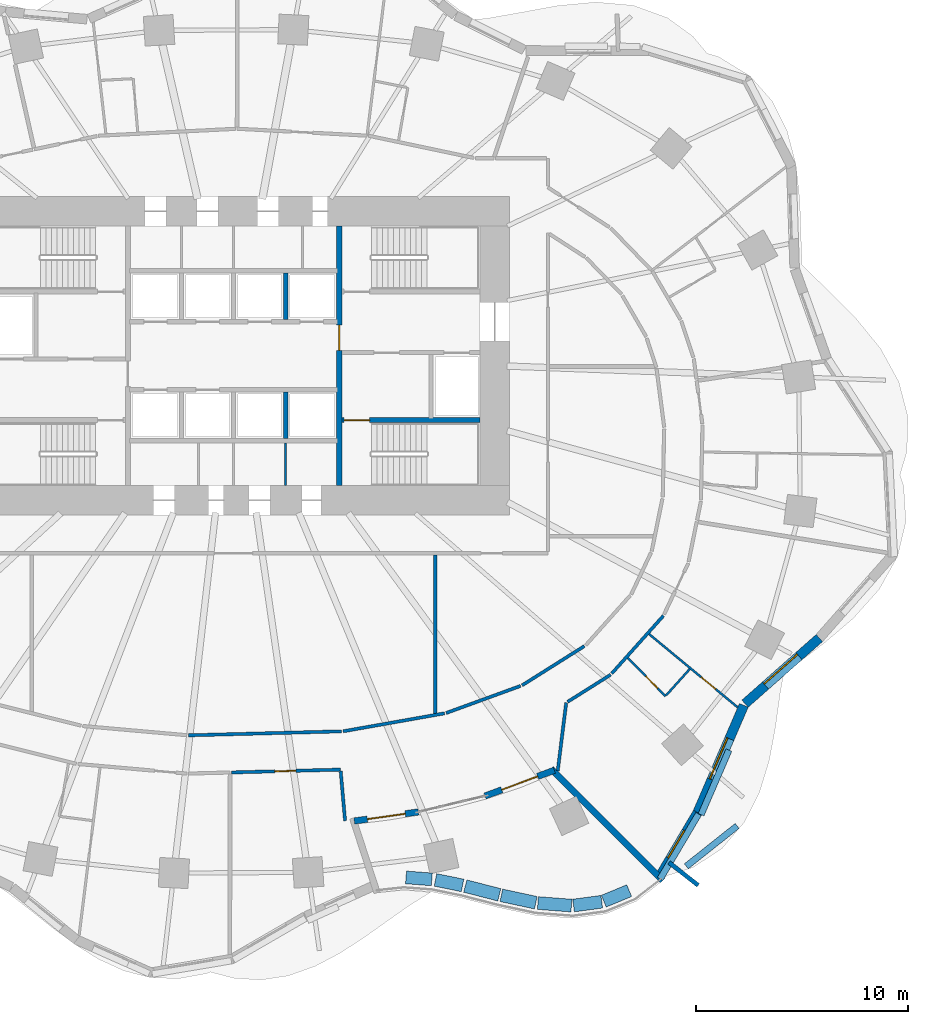
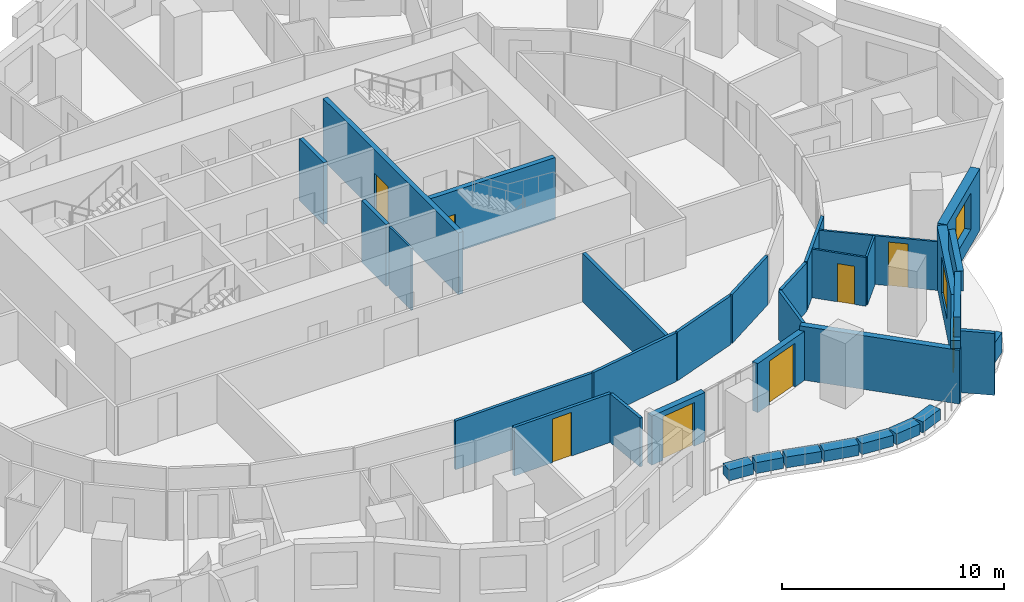
# One storey, part 7 of 14: 35 walls, 7 doors, 3 windows, 10 openings.
"""IFC4 building model written with IfcOpenShell, lengths in metres."""

from ifc_helpers import new_model, si_unit, direction, frame, frame_2d, origin, place, context, subcontext, project, spatial, rectangle, extrude, material, layer, layer_set, type_object, element, fill, save


model = new_model("IFC4")

# Units and contexts
model_context = context("Model", 3, precision=1e-05, world=origin(), true_north=direction((0.0, 1.0)))
body_context = subcontext(model_context, "Body", "Model", "MODEL_VIEW")
ifc_project = project(units=[si_unit("LENGTHUNIT", "METRE"), si_unit("AREAUNIT", "SQUARE_METRE"), si_unit("VOLUMEUNIT", "CUBIC_METRE"), si_unit("PLANEANGLEUNIT", "RADIAN"), si_unit("MASSUNIT", "GRAM", prefix="KILO")], contexts=[model_context])

# Site, building, storey
site_placement = place(None, origin())
site = spatial("IfcSite", under=ifc_project, at=site_placement, CompositionType="ELEMENT")
building_placement = place(site_placement, origin())
building = spatial("IfcBuilding", under=site, at=building_placement, Name="Rubra Terraces Tower", CompositionType="ELEMENT")
storey_placement = place(building_placement, frame((0.0, 0.0, 44.699951171875)))
storey = spatial("IfcBuildingStorey", under=building, at=storey_placement, Name="L08", CompositionType="ELEMENT", Elevation=44.699951171875)

# Walls
ifc_material_1 = material(Name="Twin plasterboard on staggered steel stud, acoustic mineral wool", Category="steel")
ifc_layer_1 = layer(ifc_material_1, 0.175048828125)
ifc_layer_set_1 = layer_set([ifc_layer_1], Name="Twin plasterboard on staggered steel stud, acoustic mineral wool")
wall_type_1 = type_object("IfcWallType", Name="ACOUSTIC PARTY WALL 175", PredefinedType="PARTITIONING", material=ifc_layer_set_1)
wall_1_placement = place(storey_placement, frame((9.5, -12.335205078125, 0.0), z_axis=(0.0, 0.0, 1.0), x_axis=(0.0, 1.0, 0.0)))
element("IfcWall", 1, at=wall_1_placement, inside=storey, type_object=wall_type_1, Name="PARTITION", PredefinedType="PARTITIONING", context=body_context, shape_type="SweptSolid", body=[
    extrude(rectangle(XDim=7.460205078125, YDim=0.175048828125, at=frame_2d((3.72998046875, 0.0))), origin(), (0.0, 0.0, 1.0), 2.679931640625),
])
ifc_material_2 = material(Name="Brick masonry red-brown", Category="masonry")
ifc_layer_2 = layer(ifc_material_2, 0.300048828125)
ifc_layer_set_2 = layer_set([ifc_layer_2], Name="Brick masonry red-brown")
wall_type_2 = type_object("IfcWallType", Name="Brick edge guard 300", PredefinedType="PARAPET", material=ifc_layer_set_2)
wall_2_placement = place(storey_placement, frame((23.70947265625, -17.63671875, 0.0), z_axis=(0.0, 0.0, 1.0), x_axis=(-0.783162328439, -0.62181731024, 0.0)))
element("IfcWall", 2, at=wall_2_placement, inside=storey, type_object=wall_type_2, Name="Edge guard L08.1", PredefinedType="PARAPET", context=body_context, shape_type="SweptSolid", body=[
    extrude(rectangle(XDim=3.056640625, YDim=0.300048828125, at=frame_2d((1.5283203125, 0.0))), origin(), (0.0, 0.0, 1.0), 1.10009765625),
])

# Wall, opening, window
ifc_layer_3 = layer(ifc_material_2, 0.449951171875)
ifc_layer_set_3 = layer_set([ifc_layer_3], Name="Brick masonry red-brown")
wall_type_3 = type_object("IfcWallType", Name="Brick facade wall 450", PredefinedType="SOLIDWALL", material=ifc_layer_set_3)
wall_3_placement = place(storey_placement, frame((20.017333984375, -20.09619140625, 0.0), z_axis=(0.0, 0.0, 1.0), x_axis=(0.509718522454, 0.860341227576, 0.0)))
wall_3 = element("IfcWall", 3, at=wall_3_placement, inside=storey, type_object=wall_type_3, Name="Facade wall L08 bay 36", PredefinedType="SOLIDWALL", context=body_context, shape_type="SweptSolid", body=[
    extrude(rectangle(XDim=3.5908203125, YDim=0.449951171875, at=frame_2d((1.79541015625, 0.0))), origin(), (0.0, 0.0, 1.0), 3.400146484375),
])
opening_1_placement = place(wall_3_placement, frame((1.04541015625, 0.0, 0.89990234375)))
opening_1 = element("IfcOpeningElement", 4, at=opening_1_placement, cuts=wall_3, Name="Opening W7", PredefinedType="OPENING", context=body_context, shape_type="SweptSolid", body=[
    extrude(rectangle(XDim=1.5, YDim=2.0, at=frame_2d((0.75, 1.0))), frame((0.0, 0.23486328125, 0.0), z_axis=(0.0, -1.0, 0.0), x_axis=(1.0, 0.0, 0.0)), (0.0, 0.0, 1.0), 0.469970703125),
])
ifc_material_3 = material(Name="Clear glass in aluminium frame", Category="aluminium")
window_type_1 = type_object("IfcWindowType", Name="Fixed deep-set window beside terrace 1500 x 2000", PartitioningType="SINGLE_PANEL", PredefinedType="WINDOW", material=ifc_material_3)
window_1_placement = place(opening_1_placement, origin())
window_1 = element("IfcWindow", 5, at=window_1_placement, inside=storey, type_object=window_type_1, Name="Window L08 bay 36", OverallHeight=2.0, OverallWidth=1.5, PartitioningType="SINGLE_PANEL", PredefinedType="WINDOW", context=body_context, shape_type="SweptSolid", body=[
    extrude(rectangle(XDim=1.5, YDim=2.0, at=frame_2d((0.75, 1.0))), frame((0.0, 0.135009765625, 0.0), z_axis=(0.0, -1.0, 0.0), x_axis=(1.0, 0.0, 0.0)), (0.0, 0.0, 1.0), 0.06005859375),
])
fill(opening_1, window_1)

wall_4_placement = place(storey_placement, frame((21.834716796875, -17.032470703125, 0.0), z_axis=(0.0, 0.0, 1.0), x_axis=(0.396103523022, 0.918205858753, 0.0)))
wall_4 = element("IfcWall", 6, at=wall_4_placement, inside=storey, type_object=wall_type_3, Name="Facade wall L08 bay 37", PredefinedType="SOLIDWALL", context=body_context, shape_type="SweptSolid", body=[
    extrude(rectangle(XDim=5.528076171875, YDim=0.449951171875, at=frame_2d((2.76416015625, 0.0))), origin(), (0.0, 0.0, 1.0), 3.400146484375),
])
opening_2_placement = place(wall_4_placement, frame((1.714111328125, 0.0, 0.89990234375)))
opening_2 = element("IfcOpeningElement", 7, at=opening_2_placement, cuts=wall_4, Name="Opening W1", PredefinedType="OPENING", context=body_context, shape_type="SweptSolid", body=[
    extrude(rectangle(XDim=2.10009765625, YDim=2.0, at=frame_2d((1.050048828125, 1.0))), frame((0.0, 0.23486328125, 0.0), z_axis=(0.0, -1.0, 0.0), x_axis=(1.0, 0.0, 0.0)), (0.0, 0.0, 1.0), 0.469970703125),
])
window_type_2 = type_object("IfcWindowType", Name="Fixed deep-set window 2100 x 2000", PartitioningType="SINGLE_PANEL", PredefinedType="WINDOW", material=ifc_material_3)
window_2_placement = place(opening_2_placement, origin())
window_2 = element("IfcWindow", 8, at=window_2_placement, inside=storey, type_object=window_type_2, Name="Window L08 bay 37", OverallHeight=2.0, OverallWidth=2.10009765625, PartitioningType="SINGLE_PANEL", PredefinedType="WINDOW", context=body_context, shape_type="SweptSolid", body=[
    extrude(rectangle(XDim=2.10009765625, YDim=2.0, at=frame_2d((1.050048828125, 1.0))), frame((0.0, 0.135009765625, 0.0), z_axis=(0.0, -1.0, 0.0), x_axis=(1.0, 0.0, 0.0)), (0.0, 0.0, 1.0), 0.06005859375),
])
fill(opening_2, window_2)

wall_5_placement = place(storey_placement, frame((24.078369140625, -11.88037109375, 0.0), z_axis=(0.0, 0.0, 1.0), x_axis=(0.749778352475, 0.661689067583, 0.0)))
wall_5 = element("IfcWall", 9, at=wall_5_placement, inside=storey, type_object=wall_type_3, Name="Facade wall L08 bay 38", PredefinedType="SOLIDWALL", context=body_context, shape_type="SweptSolid", body=[
    extrude(rectangle(XDim=4.669921875, YDim=0.449951171875, at=frame_2d((2.3349609375, 0.0))), origin(), (0.0, 0.0, 1.0), 3.400146484375),
])
opening_3_placement = place(wall_5_placement, frame((1.284912109375, 0.0, 0.89990234375)))
opening_3 = element("IfcOpeningElement", 10, at=opening_3_placement, cuts=wall_5, Name="Opening W1", PredefinedType="OPENING", context=body_context, shape_type="SweptSolid", body=[
    extrude(rectangle(XDim=2.10009765625, YDim=2.0, at=frame_2d((1.050048828125, 1.0))), frame((0.0, 0.23486328125, 0.0), z_axis=(0.0, -1.0, 0.0), x_axis=(1.0, 0.0, 0.0)), (0.0, 0.0, 1.0), 0.469970703125),
])
window_3_placement = place(opening_3_placement, origin())
window_3 = element("IfcWindow", 11, at=window_3_placement, inside=storey, type_object=window_type_2, Name="Window L08 bay 38", OverallHeight=2.0, OverallWidth=2.10009765625, PartitioningType="SINGLE_PANEL", PredefinedType="WINDOW", context=body_context, shape_type="SweptSolid", body=[
    extrude(rectangle(XDim=2.10009765625, YDim=2.0, at=frame_2d((1.050048828125, 1.0))), frame((0.0, 0.135009765625, 0.0), z_axis=(0.0, -1.0, 0.0), x_axis=(1.0, 0.0, 0.0)), (0.0, 0.0, 1.0), 0.06005859375),
])
fill(opening_3, window_3)

# Walls
ifc_layer_4 = layer(ifc_material_2, 0.300048828125)
ifc_layer_set_4 = layer_set([ifc_layer_4], Name="Brick masonry red-brown")
wall_type_4 = type_object("IfcWallType", Name="Brick parapet 300", PredefinedType="PARAPET", material=ifc_layer_set_4)
wall_6_placement = place(storey_placement, frame((20.081787109375, -20.134521484375, 3.60009765625), z_axis=(0.0, 0.0, 1.0), x_axis=(0.50970265733, 0.860350626844, 0.0)))
element("IfcWall", 12, at=wall_6_placement, inside=storey, type_object=wall_type_4, Name="Parapet L08 bay 36", PredefinedType="PARAPET", context=body_context, shape_type="SweptSolid", body=[
    extrude(rectangle(XDim=3.556396484375, YDim=0.300048828125, at=frame_2d((1.7783203125, 0.0))), origin(), (0.0, 0.0, 1.0), 1.099853515625),
])
wall_7_placement = place(storey_placement, frame((22.008544921875, -17.107421875, 3.60009765625), z_axis=(0.0, 0.0, 1.0), x_axis=(0.396142292889, 0.918189132905, 0.0)))
element("IfcWall", 13, at=wall_7_placement, inside=storey, type_object=wall_type_4, Name="Parapet L08 bay 37", PredefinedType="PARAPET", context=body_context, shape_type="SweptSolid", body=[
    extrude(rectangle(XDim=3.31201171875, YDim=0.300048828125, at=frame_2d((1.656005859375, 0.0))), origin(), (0.0, 0.0, 1.0), 1.099853515625),
])
ifc_layer_5 = layer(ifc_material_2, 0.199951171875)
ifc_layer_set_5 = layer_set([ifc_layer_5], Name="Brick masonry red-brown")
wall_type_5 = type_object("IfcWallType", Name="Brick wind fin 200", PredefinedType="SOLIDWALL", material=ifc_layer_set_5)
wall_8_placement = place(storey_placement, frame((20.5, -19.35498046875, 0.0), z_axis=(0.0, 0.0, 1.0), x_axis=(0.786700632228, -0.617334686577, 0.0)))
element("IfcWall", 14, at=wall_8_placement, inside=storey, type_object=wall_type_5, Name="Wind fin L08 19", PredefinedType="SOLIDWALL", context=body_context, shape_type="SweptSolid", body=[
    extrude(rectangle(XDim=1.75, YDim=0.199951171875, at=frame_2d((0.875, 0.0))), origin(), (0.0, 0.0, 1.0), 3.400146484375),
])

# Wall, opening, door
ifc_material_4 = material(Name="Plasterboard on steel stud, mineral wool infill", Category="steel")
ifc_layer_6 = layer(ifc_material_4, 0.14990234375)
ifc_layer_set_6 = layer_set([ifc_layer_6], Name="Plasterboard on steel stud, mineral wool infill")
wall_type_6 = type_object("IfcWallType", Name="CORRIDOR PARTITION 150", PredefinedType="PARTITIONING", material=ifc_layer_set_6)
wall_9_placement = place(storey_placement, frame((-0.089111328125, -15.117431640625, 0.0), z_axis=(0.0, 0.0, 1.0), x_axis=(0.999661881663, 0.026002352789, 0.0)))
wall_9 = element("IfcWall", 15, at=wall_9_placement, inside=storey, type_object=wall_type_6, Name="PARTITION", PredefinedType="PARTITIONING", context=body_context, shape_type="SweptSolid", body=[
    extrude(rectangle(XDim=5.12646484375, YDim=0.14990234375, at=frame_2d((2.563232421875, 0.0))), origin(), (0.0, 0.0, 1.0), 2.679931640625),
])
opening_4_placement = place(wall_9_placement, frame((2.02587890625, 0.0, 0.0)))
opening_4 = element("IfcOpeningElement", 16, at=opening_4_placement, cuts=wall_9, Name="Opening 08-124", PredefinedType="OPENING", context=body_context, shape_type="SweptSolid", body=[
    extrude(rectangle(XDim=1.0, YDim=2.39990234375, at=frame_2d((0.5, 1.199951171875))), frame((0.0, 0.0849609375, 0.0), z_axis=(0.0, -1.0, 0.0), x_axis=(1.0, 0.0, 0.0)), (0.0, 0.0, 1.0), 0.169921875),
])
ifc_material_5 = material(Name="Glazed aluminium meeting door leaf", Category="aluminium")
door_type_1 = type_object("IfcDoorType", Name="MEETING ROOM GLAZED DOOR 1000 X 2400", OperationType="SINGLE_SWING_LEFT", PredefinedType="DOOR", material=ifc_material_5)
door_1_placement = place(opening_4_placement, origin())
door_1 = element("IfcDoor", 17, at=door_1_placement, inside=storey, type_object=door_type_1, Name="DOOR 08-124", OperationType="SINGLE_SWING_RIGHT", OverallHeight=2.39990234375, OverallWidth=1.0, PredefinedType="DOOR", context=body_context, shape_type="SweptSolid", body=[
    extrude(rectangle(XDim=1.0, YDim=2.39990234375, at=frame_2d((0.5, 1.199951171875))), frame((0.0, 0.02490234375, 0.0), z_axis=(0.0, -1.0, 0.0), x_axis=(1.0, 0.0, 0.0)), (0.0, 0.0, 1.0), 0.050048828125),
])
fill(opening_4, door_1)

# Walls
wall_10_placement = place(storey_placement, frame((5.24853515625, -17.393310546875, 0.0), z_axis=(0.0, 0.0, 1.0), x_axis=(-0.088027582278, 0.996118037563, 0.0)))
element("IfcWall", 18, at=wall_10_placement, inside=storey, type_object=wall_type_6, Name="PARTITION", PredefinedType="PARTITIONING", context=body_context, shape_type="SweptSolid", body=[
    extrude(rectangle(XDim=2.343505859375, YDim=0.14990234375, at=frame_2d((1.171875, 0.0))), origin(), (0.0, 0.0, 1.0), 2.679931640625),
])
wall_11_placement = place(storey_placement, frame((15.261962890625, -15.03857421875, 0.0), z_axis=(0.0, 0.0, 1.0), x_axis=(0.123485606302, 0.992346363442, 0.0)))
element("IfcWall", 19, at=wall_11_placement, inside=storey, type_object=wall_type_6, Name="PARTITION", PredefinedType="PARTITIONING", context=body_context, shape_type="SweptSolid", body=[
    extrude(rectangle(XDim=3.228515625, YDim=0.14990234375, at=frame_2d((1.6142578125, 0.0))), origin(), (0.0, 0.0, 1.0), 2.679931640625),
])
wall_12_placement = place(storey_placement, frame((15.72412109375, -11.794677734375, 0.0), z_axis=(0.0, 0.0, 1.0), x_axis=(0.846020384979, 0.533150549283, 0.0)))
element("IfcWall", 20, at=wall_12_placement, inside=storey, type_object=wall_type_6, Name="PARTITION", PredefinedType="PARTITIONING", context=body_context, shape_type="SweptSolid", body=[
    extrude(rectangle(XDim=2.3994140625, YDim=0.14990234375, at=frame_2d((1.19970703125, 0.0))), origin(), (0.0, 0.0, 1.0), 2.679931640625),
])
wall_13_placement = place(storey_placement, frame((17.80419921875, -10.459716796875, 0.0), z_axis=(0.0, 0.0, 1.0), x_axis=(0.666597463623, 0.745417883802, 0.0)))
element("IfcWall", 21, at=wall_13_placement, inside=storey, type_object=wall_type_6, Name="PARTITION", PredefinedType="PARTITIONING", context=body_context, shape_type="SweptSolid", body=[
    extrude(rectangle(XDim=3.65185546875, YDim=0.14990234375, at=frame_2d((1.825927734375, 0.0))), origin(), (0.0, 0.0, 1.0), 2.679931640625),
])
wall_14_placement = place(storey_placement, frame((16.517333984375, -9.167236328125, 0.0), z_axis=(0.0, 0.0, 1.0), x_axis=(-0.846000117603, -0.533182708849, 0.0)))
element("IfcWall", 22, at=wall_14_placement, inside=storey, type_object=wall_type_6, Name="PARTITION", PredefinedType="PARTITIONING", context=body_context, shape_type="SweptSolid", body=[
    extrude(rectangle(XDim=3.469970703125, YDim=0.14990234375, at=frame_2d((1.73486328125, 0.0))), origin(), (0.0, 0.0, 1.0), 2.679931640625),
])
wall_15_placement = place(storey_placement, frame((13.51123046875, -11.04296875, 0.0), z_axis=(0.0, 0.0, 1.0), x_axis=(-0.939583191704, -0.342320647736, 0.0)))
element("IfcWall", 23, at=wall_15_placement, inside=storey, type_object=wall_type_6, Name="PARTITION", PredefinedType="PARTITIONING", context=body_context, shape_type="SweptSolid", body=[
    extrude(rectangle(XDim=3.73291015625, YDim=0.14990234375, at=frame_2d((1.866455078125, 0.0))), origin(), (0.0, 0.0, 1.0), 2.679931640625),
])
wall_16_placement = place(storey_placement, frame((9.93017578125, -12.333984375, 0.0), z_axis=(0.0, 0.0, 1.0), x_axis=(-0.984638212434, -0.174606960386, 0.0)))
element("IfcWall", 24, at=wall_16_placement, inside=storey, type_object=wall_type_6, Name="PARTITION", PredefinedType="PARTITIONING", context=body_context, shape_type="SweptSolid", body=[
    extrude(rectangle(XDim=4.84765625, YDim=0.14990234375, at=frame_2d((2.423828125, 0.0))), origin(), (0.0, 0.0, 1.0), 2.679931640625),
])
wall_17_placement = place(storey_placement, frame((5.08203125, -13.182373046875, 0.0), z_axis=(0.0, 0.0, 1.0), x_axis=(-0.999661624383, -0.026012242045, 0.0)))
element("IfcWall", 25, at=wall_17_placement, inside=storey, type_object=wall_type_6, Name="PARTITION", PredefinedType="PARTITIONING", context=body_context, shape_type="SweptSolid", body=[
    extrude(rectangle(XDim=7.217529296875, YDim=0.14990234375, at=frame_2d((3.60888671875, 0.0))), origin(), (0.0, 0.0, 1.0), 2.679931640625),
])
ifc_material_6 = material(Name="Concrete C30", Category="concrete")
ifc_layer_7 = layer(ifc_material_6, 0.199951171875)
ifc_layer_set_7 = layer_set([ifc_layer_7], Name="Concrete C30")
wall_type_7 = type_object("IfcWallType", Name="Core wall 200 concrete", PredefinedType="SOLIDWALL", material=ifc_layer_set_7)
for number, where, z_axis, x_axis, name in (
    (26, (2.449951171875, 0.60009765625, 0.0), (0.0, 0.0, 1.0), (0.0, 1.0, 0.0), "LIFT SHAFT WALL L08"),
    (27, (2.449951171875, 6.199951171875, 0.0), (0.0, 0.0, 1.0), (0.0, 1.0, 0.0), "LIFT SHAFT WALL L08"),
):
    element("IfcWall", number, at=place(storey_placement, frame(where, z_axis=z_axis, x_axis=x_axis)), inside=storey, type_object=wall_type_7, Name=name, PredefinedType="SOLIDWALL", context=body_context, shape_type="SweptSolid", body=[
        extrude(rectangle(XDim=2.199951171875, YDim=0.199951171875, at=frame_2d((1.10009765625, 0.0))), origin(), (0.0, 0.0, 1.0), 3.400146484375),
    ])

# Wall, opening, door
ifc_material_7 = material(Name="Brick masonry with ochre lime render", Category="masonry")
ifc_layer_8 = layer(ifc_material_7, 0.300048828125)
ifc_layer_set_8 = layer_set([ifc_layer_8], Name="Brick masonry with ochre lime render")
wall_type_8 = type_object("IfcWallType", Name="Ochre rendered brick wall 300", PredefinedType="SOLIDWALL", material=ifc_layer_set_8)
wall_18_placement = place(storey_placement, frame((5.681884765625, -17.404541015625, 0.0), z_axis=(0.0, 0.0, 1.0), x_axis=(0.990121520331, 0.140211893137, 0.0)))
wall_18 = element("IfcWall", 28, at=wall_18_placement, inside=storey, type_object=wall_type_8, Name="Terrace wall L08 bay 33", PredefinedType="SOLIDWALL", context=body_context, shape_type="SweptSolid", body=[
    extrude(rectangle(XDim=3.052490234375, YDim=0.300048828125, at=frame_2d((1.5263671875, 0.0))), origin(), (0.0, 0.0, 1.0), 2.699951171875),
])
opening_5_placement = place(wall_18_placement, frame((0.626220703125, 0.0, 0.0)))
opening_5 = element("IfcOpeningElement", 29, at=opening_5_placement, cuts=wall_18, Name="Opening T08.1", PredefinedType="OPENING", context=body_context, shape_type="SweptSolid", body=[
    extrude(rectangle(XDim=1.800048828125, YDim=2.39990234375, at=frame_2d((0.89990234375, 1.199951171875))), frame((0.0, 0.159912109375, 0.0), z_axis=(0.0, -1.0, 0.0), x_axis=(1.0, 0.0, 0.0)), (0.0, 0.0, 1.0), 0.320068359375),
])
ifc_material_8 = material(Name="Glazed aluminium door leaf", Category="aluminium")
door_type_2 = type_object("IfcDoorType", Name="Terrace double door 1800 x 2400", OperationType="DOUBLE_DOOR_DOUBLE_SWING", PredefinedType="DOOR", material=ifc_material_8)
door_2_placement = place(opening_5_placement, origin())
door_2 = element("IfcDoor", 30, at=door_2_placement, inside=storey, type_object=door_type_2, Name="Terrace door L08.1", OperationType="DOUBLE_DOOR_DOUBLE_SWING", OverallHeight=2.39990234375, OverallWidth=1.800048828125, PredefinedType="DOOR", context=body_context, shape_type="SweptSolid", body=[
    extrude(rectangle(XDim=1.800048828125, YDim=2.39990234375, at=frame_2d((0.89990234375, 1.199951171875))), frame((0.0, 0.02490234375, 0.0), z_axis=(0.0, -1.0, 0.0), x_axis=(1.0, 0.0, 0.0)), (0.0, 0.0, 1.0), 0.050048828125),
])
fill(opening_5, door_2)

wall_19_placement = place(storey_placement, frame((11.839599609375, -16.227294921875, 0.0), z_axis=(0.0, 0.0, 1.0), x_axis=(0.937085264985, 0.349100567385, 0.0)))
wall_19 = element("IfcWall", 31, at=wall_19_placement, inside=storey, type_object=wall_type_8, Name="Terrace wall L08 bay 35", PredefinedType="SOLIDWALL", context=body_context, shape_type="SweptSolid", body=[
    extrude(rectangle(XDim=3.47998046875, YDim=0.300048828125, at=frame_2d((1.739990234375, 0.0))), origin(), (0.0, 0.0, 1.0), 2.699951171875),
])
opening_6_placement = place(wall_19_placement, frame((0.840087890625, 0.0, 0.0)))
opening_6 = element("IfcOpeningElement", 32, at=opening_6_placement, cuts=wall_19, Name="Opening T08.2", PredefinedType="OPENING", context=body_context, shape_type="SweptSolid", body=[
    extrude(rectangle(XDim=1.800048828125, YDim=2.39990234375, at=frame_2d((0.89990234375, 1.199951171875))), frame((0.0, 0.159912109375, 0.0), z_axis=(0.0, -1.0, 0.0), x_axis=(1.0, 0.0, 0.0)), (0.0, 0.0, 1.0), 0.320068359375),
])
door_3_placement = place(opening_6_placement, origin())
door_3 = element("IfcDoor", 33, at=door_3_placement, inside=storey, type_object=door_type_2, Name="Terrace door L08.2", OperationType="DOUBLE_DOOR_DOUBLE_SWING", OverallHeight=2.39990234375, OverallWidth=1.800048828125, PredefinedType="DOOR", context=body_context, shape_type="SweptSolid", body=[
    extrude(rectangle(XDim=1.800048828125, YDim=2.39990234375, at=frame_2d((0.89990234375, 1.199951171875))), frame((0.0, 0.02490234375, 0.0), z_axis=(0.0, -1.0, 0.0), x_axis=(1.0, 0.0, 0.0)), (0.0, 0.0, 1.0), 0.050048828125),
])
fill(opening_6, door_3)

# Walls
ifc_layer_9 = layer(ifc_material_7, 0.60009765625)
ifc_layer_set_9 = layer_set([ifc_layer_9], Name="Brick masonry with ochre lime render")
wall_type_9 = type_object("IfcWallType", Name="Planter box 600", PredefinedType="SOLIDWALL", material=ifc_layer_set_9)
wall_20_placement = place(storey_placement, frame((8.117919921875, -20.0595703125, 0.0), z_axis=(0.0, 0.0, 1.0), x_axis=(0.997068607032, -0.076512697446, 0.0)))
element("IfcWall", 34, at=wall_20_placement, inside=storey, type_object=wall_type_9, Name="Planter L08.4", PredefinedType="SOLIDWALL", context=body_context, shape_type="SweptSolid", body=[
    extrude(rectangle(XDim=1.218994140625, YDim=0.60009765625, at=frame_2d((0.609375, 0.0))), origin(), (0.0, 0.0, 1.0), 0.60009765625),
])
wall_21_placement = place(storey_placement, frame((9.505126953125, -20.177001953125, 0.0), z_axis=(0.0, 0.0, 1.0), x_axis=(0.979743342567, -0.200257291244, 0.0)))
element("IfcWall", 35, at=wall_21_placement, inside=storey, type_object=wall_type_9, Name="Planter L08.6", PredefinedType="SOLIDWALL", context=body_context, shape_type="SweptSolid", body=[
    extrude(rectangle(XDim=1.30322265625, YDim=0.60009765625, at=frame_2d((0.651611328125, 0.0))), origin(), (0.0, 0.0, 1.0), 0.60009765625),
])
wall_22_placement = place(storey_placement, frame((10.90869140625, -20.46728515625, 0.0), z_axis=(0.0, 0.0, 1.0), x_axis=(0.968308440861, -0.249757409014, 0.0)))
element("IfcWall", 36, at=wall_22_placement, inside=storey, type_object=wall_type_9, Name="Planter L08.8", PredefinedType="SOLIDWALL", context=body_context, shape_type="SweptSolid", body=[
    extrude(rectangle(XDim=1.653076171875, YDim=0.60009765625, at=frame_2d((0.82666015625, 0.0))), origin(), (0.0, 0.0, 1.0), 0.60009765625),
])
wall_23_placement = place(storey_placement, frame((12.6064453125, -20.9033203125, 0.0), z_axis=(0.0, 0.0, 1.0), x_axis=(0.977802414077, -0.209529088731, 0.0)))
element("IfcWall", 37, at=wall_23_placement, inside=storey, type_object=wall_type_9, Name="Planter L08.9", PredefinedType="SOLIDWALL", context=body_context, shape_type="SweptSolid", body=[
    extrude(rectangle(XDim=1.660400390625, YDim=0.60009765625, at=frame_2d((0.830078125, 0.0))), origin(), (0.0, 0.0, 1.0), 0.60009765625),
])
wall_24_placement = place(storey_placement, frame((14.32861328125, -21.265625, 0.0), z_axis=(0.0, 0.0, 1.0), x_axis=(0.997043584154, -0.076838084944, 0.0)))
element("IfcWall", 38, at=wall_24_placement, inside=storey, type_object=wall_type_9, Name="Planter L08.10", PredefinedType="SOLIDWALL", context=body_context, shape_type="SweptSolid", body=[
    extrude(rectangle(XDim=1.582275390625, YDim=0.60009765625, at=frame_2d((0.791015625, 0.0))), origin(), (0.0, 0.0, 1.0), 0.60009765625),
])
wall_25_placement = place(storey_placement, frame((16.005615234375, -21.38427734375, 0.0), z_axis=(0.0, 0.0, 1.0), x_axis=(0.991029616755, 0.133642428569, 0.0)))
element("IfcWall", 39, at=wall_25_placement, inside=storey, type_object=wall_type_9, Name="Planter L08.11", PredefinedType="SOLIDWALL", context=body_context, shape_type="SweptSolid", body=[
    extrude(rectangle(XDim=1.3408203125, YDim=0.60009765625, at=frame_2d((0.67041015625, 0.0))), origin(), (0.0, 0.0, 1.0), 0.60009765625),
])
wall_26_placement = place(storey_placement, frame((17.430419921875, -21.179443359375, 0.0), z_axis=(0.0, 0.0, 1.0), x_axis=(0.923745369832, 0.383007169273, 0.0)))
element("IfcWall", 40, at=wall_26_placement, inside=storey, type_object=wall_type_9, Name="Planter L08.12", PredefinedType="SOLIDWALL", context=body_context, shape_type="SweptSolid", body=[
    extrude(rectangle(XDim=1.2939453125, YDim=0.60009765625, at=frame_2d((0.64697265625, 0.0))), origin(), (0.0, 0.0, 1.0), 0.60009765625),
])

# Wall, opening, door
ifc_material_9 = material(Name="Plasterboard on steel stud", Category="steel")
ifc_layer_10 = layer(ifc_material_9, 0.10009765625)
ifc_layer_set_10 = layer_set([ifc_layer_10], Name="Plasterboard on steel stud")
wall_type_10 = type_object("IfcWallType", Name="ROOM PARTITION 100", PredefinedType="PARTITIONING", material=ifc_layer_set_10)
wall_27_placement = place(storey_placement, frame((23.734130859375, -12.05126953125, 0.0), z_axis=(0.0, 0.0, 1.0), x_axis=(-0.77073049993, 0.637161279801, 0.0)))
wall_27 = element("IfcWall", 41, at=wall_27_placement, inside=storey, type_object=wall_type_10, Name="PARTITION", PredefinedType="PARTITIONING", context=body_context, shape_type="SweptSolid", body=[
    extrude(rectangle(XDim=5.410400390625, YDim=0.10009765625, at=frame_2d((2.705078125, 0.0))), origin(), (0.0, 0.0, 1.0), 2.679931640625),
])
opening_7_placement = place(wall_27_placement, frame((1.3349609375, 0.0, 0.0)))
opening_7 = element("IfcOpeningElement", 42, at=opening_7_placement, cuts=wall_27, Name="Opening 08-126", PredefinedType="OPENING", context=body_context, shape_type="SweptSolid", body=[
    extrude(rectangle(XDim=0.89990234375, YDim=2.39990234375, at=frame_2d((0.449951171875, 1.199951171875))), frame((0.0, 0.06005859375, 0.0), z_axis=(0.0, -1.0, 0.0), x_axis=(1.0, 0.0, 0.0)), (0.0, 0.0, 1.0), 0.1201171875),
])
ifc_material_10 = material(Name="Veneered timber door leaf, fire-rated", Category="wood")
door_type_3 = type_object("IfcDoorType", Name="SUITE ENTRANCE DOOR 900 X 2400", OperationType="SINGLE_SWING_LEFT", PredefinedType="DOOR", material=ifc_material_10)
door_4_placement = place(opening_7_placement, origin())
door_4 = element("IfcDoor", 43, at=door_4_placement, inside=storey, type_object=door_type_3, Name="DOOR 08-126", OperationType="SINGLE_SWING_LEFT", OverallHeight=2.39990234375, OverallWidth=0.89990234375, PredefinedType="DOOR", context=body_context, shape_type="SweptSolid", body=[
    extrude(rectangle(XDim=0.89990234375, YDim=2.39990234375, at=frame_2d((0.449951171875, 1.199951171875))), frame((0.0, 0.02490234375, 0.0), z_axis=(0.0, -1.0, 0.0), x_axis=(1.0, 0.0, 0.0)), (0.0, 0.0, 1.0), 0.050048828125),
])
fill(opening_7, door_4)

wall_28_placement = place(storey_placement, frame((18.55908203125, -9.7275390625, 0.0), z_axis=(0.0, 0.0, 1.0), x_axis=(0.701671470807, -0.712500629513, 0.0)))
wall_28 = element("IfcWall", 44, at=wall_28_placement, inside=storey, type_object=wall_type_10, Name="PARTITION", PredefinedType="PARTITIONING", context=body_context, shape_type="SweptSolid", body=[
    extrude(rectangle(XDim=2.52490234375, YDim=0.10009765625, at=frame_2d((1.262451171875, 0.0))), origin(), (0.0, 0.0, 1.0), 2.679931640625),
])
opening_8_placement = place(wall_28_placement, frame((1.199951171875, 0.0, 0.0)))
opening_8 = element("IfcOpeningElement", 45, at=opening_8_placement, cuts=wall_28, Name="Opening 08-125", PredefinedType="OPENING", context=body_context, shape_type="SweptSolid", body=[
    extrude(rectangle(XDim=0.800048828125, YDim=2.10009765625, at=frame_2d((0.39990234375, 1.050048828125))), frame((0.0, 0.06005859375, 0.0), z_axis=(0.0, -1.0, 0.0), x_axis=(1.0, 0.0, 0.0)), (0.0, 0.0, 1.0), 0.1201171875),
])
ifc_material_11 = material(Name="Painted timber door leaf", Category="wood")
door_type_4 = type_object("IfcDoorType", Name="BATHROOM DOOR 800 X 2100", OperationType="SINGLE_SWING_LEFT", PredefinedType="DOOR", material=ifc_material_11)
door_5_placement = place(opening_8_placement, origin())
door_5 = element("IfcDoor", 46, at=door_5_placement, inside=storey, type_object=door_type_4, Name="DOOR 08-125", OperationType="SINGLE_SWING_LEFT", OverallHeight=2.10009765625, OverallWidth=0.800048828125, PredefinedType="DOOR", context=body_context, shape_type="SweptSolid", body=[
    extrude(rectangle(XDim=0.800048828125, YDim=2.10009765625, at=frame_2d((0.39990234375, 1.050048828125))), frame((0.0, 0.02490234375, 0.0), z_axis=(0.0, -1.0, 0.0), x_axis=(1.0, 0.0, 0.0)), (0.0, 0.0, 1.0), 0.050048828125),
])
fill(opening_8, door_5)

# Walls
wall_29_placement = place(storey_placement, frame((20.3642578125, -11.489501953125, 0.0), z_axis=(0.0, 0.0, 1.0), x_axis=(0.667968030359, 0.744189969307, 0.0)))
element("IfcWall", 47, at=wall_29_placement, inside=storey, type_object=wall_type_10, Name="PARTITION", PredefinedType="PARTITIONING", context=body_context, shape_type="SweptSolid", body=[
    extrude(rectangle(XDim=1.66552734375, YDim=0.10009765625, at=frame_2d((0.832763671875, 0.0))), origin(), (0.0, 0.0, 1.0), 2.679931640625),
])
ifc_material_12 = material(Name="Brick masonry with rose lime render", Category="masonry")
ifc_layer_11 = layer(ifc_material_12, 0.300048828125)
ifc_layer_set_11 = layer_set([ifc_layer_11], Name="Brick masonry with rose lime render")
wall_type_11 = type_object("IfcWallType", Name="Rose rendered brick wall 300", PredefinedType="SOLIDWALL", material=ifc_layer_set_11)
wall_30_placement = place(storey_placement, frame((20.2109375, -20.2109375, 0.0), z_axis=(0.0, 0.0, 1.0), x_axis=(-0.707106781187, 0.707106781187, 0.0)))
element("IfcWall", 48, at=wall_30_placement, inside=storey, type_object=wall_type_11, Name="Terrace side wall L08.2", PredefinedType="SOLIDWALL", context=body_context, shape_type="SweptSolid", body=[
    extrude(rectangle(XDim=7.452880859375, YDim=0.300048828125, at=frame_2d((3.7265625, 0.0))), origin(), (0.0, 0.0, 1.0), 2.9541015625),
])
ifc_material_13 = material(Name="Blockwork", Category="masonry")
ifc_layer_12 = layer(ifc_material_13, 0.10009765625)
ifc_layer_set_12 = layer_set([ifc_layer_12], Name="Blockwork")
wall_type_12 = type_object("IfcWallType", Name="Service partition 100 blockwork", PredefinedType="PARTITIONING", material=ifc_layer_set_12)
wall_31_placement = place(storey_placement, frame((2.449951171875, -1.60009765625, 0.0), z_axis=(0.0, 0.0, 1.0), x_axis=(0.0, 1.0, 0.0)))
element("IfcWall", 49, at=wall_31_placement, inside=storey, type_object=wall_type_12, Name="SERVICE ROOM PARTITION L08", PredefinedType="PARTITIONING", context=body_context, shape_type="SweptSolid", body=[
    extrude(rectangle(XDim=2.0, YDim=0.10009765625, at=frame_2d((1.0, 0.0))), origin(), (0.0, 0.0, 1.0), 3.400146484375),
])

# Wall, opening, door
ifc_material_14 = material(Name="Concrete C40", Category="concrete")
ifc_layer_13 = layer(ifc_material_14, 0.25)
ifc_layer_set_13 = layer_set([ifc_layer_13], Name="Concrete C40")
wall_type_13 = type_object("IfcWallType", Name="Stair enclosure wall 250 concrete", PredefinedType="SOLIDWALL", material=ifc_layer_set_13)
wall_32_placement = place(storey_placement, frame((11.60009765625, 1.47509765625, 0.0), z_axis=(0.0, 0.0, 1.0), x_axis=(-1.0, 0.0, 0.0)))
wall_32 = element("IfcWall", 50, at=wall_32_placement, inside=storey, type_object=wall_type_13, Name="STAIR WALL L08", PredefinedType="SOLIDWALL", context=body_context, shape_type="SweptSolid", body=[
    extrude(rectangle(XDim=6.5, YDim=0.25, at=frame_2d((3.25, 0.0))), origin(), (0.0, 0.0, 1.0), 3.400146484375),
])
opening_9_placement = place(wall_32_placement, frame((5.199951171875, 0.0, 0.0)))
opening_9 = element("IfcOpeningElement", 51, at=opening_9_placement, cuts=wall_32, Name="Opening L08.C10", PredefinedType="OPENING", context=body_context, shape_type="SweptSolid", body=[
    extrude(rectangle(XDim=1.199951171875, YDim=2.10009765625, at=frame_2d((0.60009765625, 1.050048828125))), frame((0.0, 0.135009765625, 0.0), z_axis=(0.0, -1.0, 0.0), x_axis=(1.0, 0.0, 0.0)), (0.0, 0.0, 1.0), 0.27001953125),
])
ifc_material_15 = material(Name="Painted steel", Category="steel")
door_type_5 = type_object("IfcDoorType", Name="Fire door 1200x2100 single", OperationType="NOTDEFINED", PredefinedType="DOOR", material=ifc_material_15)
door_6_placement = place(opening_9_placement, origin())
door_6 = element("IfcDoor", 52, at=door_6_placement, inside=storey, type_object=door_type_5, Name="Stair door S4", OperationType="SINGLE_SWING_RIGHT", OverallHeight=2.10009765625, OverallWidth=1.199951171875, PredefinedType="DOOR", context=body_context, shape_type="SweptSolid", body=[
    extrude(rectangle(XDim=1.199951171875, YDim=2.10009765625, at=frame_2d((0.60009765625, 1.050048828125))), frame((0.0, 0.02490234375, 0.0), z_axis=(0.0, -1.0, 0.0), x_axis=(1.0, 0.0, 0.0)), (0.0, 0.0, 1.0), 0.050048828125),
])
fill(opening_9, door_6)

wall_33_placement = place(storey_placement, frame((4.97509765625, 10.60009765625, 0.0), z_axis=(0.0, 0.0, 1.0), x_axis=(0.0, -1.0, 0.0)))
wall_33 = element("IfcWall", 53, at=wall_33_placement, inside=storey, type_object=wall_type_13, Name="CORE LOBBY WALL L08", PredefinedType="SOLIDWALL", context=body_context, shape_type="SweptSolid", body=[
    extrude(rectangle(XDim=12.2001953125, YDim=0.25, at=frame_2d((6.10009765625, 0.0))), origin(), (0.0, 0.0, 1.0), 3.400146484375),
])
opening_10_placement = place(wall_33_placement, frame((4.64990234375, 0.0, 0.0)))
opening_10 = element("IfcOpeningElement", 54, at=opening_10_placement, cuts=wall_33, Name="Opening L08.C04", PredefinedType="OPENING", context=body_context, shape_type="SweptSolid", body=[
    extrude(rectangle(XDim=1.199951171875, YDim=2.10009765625, at=frame_2d((0.60009765625, 1.050048828125))), frame((0.0, 0.135009765625, 0.0), z_axis=(0.0, -1.0, 0.0), x_axis=(1.0, 0.0, 0.0)), (0.0, 0.0, 1.0), 0.27001953125),
])
door_7_placement = place(opening_10_placement, origin())
door_7 = element("IfcDoor", 55, at=door_7_placement, inside=storey, type_object=door_type_5, Name="Firefighting lobby door FF2", OperationType="SINGLE_SWING_RIGHT", OverallHeight=2.10009765625, OverallWidth=1.199951171875, PredefinedType="DOOR", context=body_context, shape_type="SweptSolid", body=[
    extrude(rectangle(XDim=1.199951171875, YDim=2.10009765625, at=frame_2d((0.60009765625, 1.050048828125))), frame((0.0, 0.02490234375, 0.0), z_axis=(0.0, -1.0, 0.0), x_axis=(1.0, 0.0, 0.0)), (0.0, 0.0, 1.0), 0.050048828125),
])
fill(opening_10, door_7)

save(model, "model.ifc")
